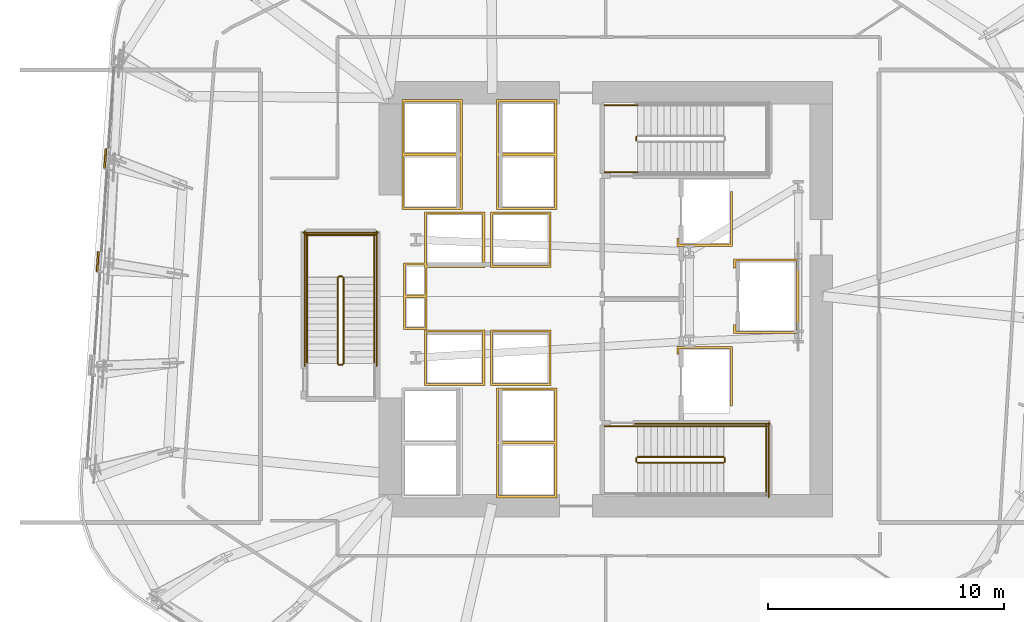
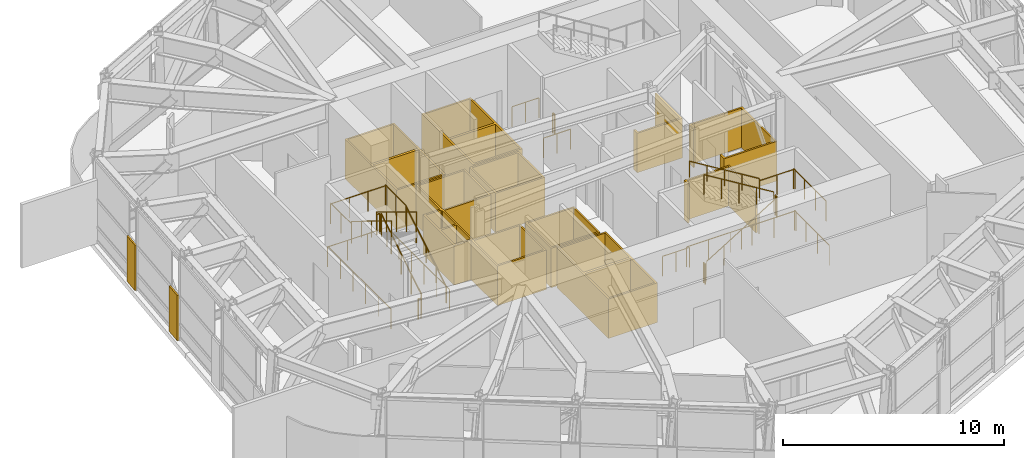
# One storey, part 12 of 14: 25 railings, 12 coverings.
"""IFC4 building model written with IfcOpenShell, lengths in metres."""

from ifc_helpers import new_model, si_unit, direction, frame, origin, origin_2d, place, context, subcontext, project, spatial, polyline, circle, outline, extrude, material, layer, layer_set, type_object, element, save


model = new_model("IFC4")

# Units and contexts
model_context = context("Model", 3, precision=1e-05, world=origin(), true_north=direction((0.0, 1.0)))
body_context = subcontext(model_context, "Body", "Model", "MODEL_VIEW")
ifc_project = project(units=[si_unit("LENGTHUNIT", "METRE"), si_unit("AREAUNIT", "SQUARE_METRE"), si_unit("VOLUMEUNIT", "CUBIC_METRE"), si_unit("PLANEANGLEUNIT", "RADIAN"), si_unit("MASSUNIT", "GRAM", prefix="KILO")], contexts=[model_context])

# Site, building, storey
site_placement = place(None, origin())
site = spatial("IfcSite", under=ifc_project, at=site_placement, CompositionType="ELEMENT")
building_placement = place(site_placement, origin())
building = spatial("IfcBuilding", under=site, at=building_placement, Name="Valkerne Bourse Tower", CompositionType="ELEMENT")
storey_placement = place(building_placement, frame((0.0, 0.0, 135.199951171875)))
storey = spatial("IfcBuildingStorey", under=building, at=storey_placement, Name="L34", CompositionType="ELEMENT", Elevation=135.199951171875)

# Coverings
ifc_material_1 = material(Name="Bronze Anodised Aluminium AA 6063-T6", Category="aluminium")
ifc_layer_1 = layer(ifc_material_1, 0.06005859375)
ifc_layer_set_1 = layer_set([ifc_layer_1], Name="Bronze Anodised Aluminium AA 6063-T6")
covering_type_1 = type_object("IfcCoveringType", Name="COV-CRN-ALUM", PredefinedType="CLADDING", material=ifc_layer_set_1)
covering_1_placement = place(storey_placement, origin())
element("IfcCovering", 1, at=covering_1_placement, inside=storey, type_object=covering_type_1, Name="L34 Wind-Shaped Corner Aluminium Cladding 11", PredefinedType="CLADDING", context=body_context, shape_type="SweptSolid", body=[
    extrude(outline(polyline([(25.27978515625, 28.88818359375), (25.359619140625, 28.8828125), (25.298095703125, 28.044921875), (25.21826171875, 28.05029296875), (25.27978515625, 28.88818359375)])), origin(), (0.0, 0.0, 1.0), 2.5),
])
covering_2_placement = place(storey_placement, origin())
element("IfcCovering", 2, at=covering_2_placement, inside=storey, type_object=covering_type_1, Name="L34 Wind-Shaped Corner Aluminium Cladding 12", PredefinedType="CLADDING", context=body_context, shape_type="SweptSolid", body=[
    extrude(outline(polyline([(25.60107421875, 33.259521484375), (25.680908203125, 33.25390625), (25.619384765625, 32.416015625), (25.53955078125, 32.421630859375), (25.60107421875, 33.259521484375)])), origin(), (0.0, 0.0, 1.0), 2.5),
])
ifc_material_2 = material(Name="Gypsum Shaftwall Liner Board", Category="gypsum")
ifc_layer_2 = layer(ifc_material_2, 0.080078125)
ifc_layer_set_2 = layer_set([ifc_layer_2], Name="Gypsum Shaftwall Liner Board")
covering_type_2 = type_object("IfcCoveringType", Name="COV-SHF-CLAD", PredefinedType="CLADDING", material=ifc_layer_set_2)
covering_3_placement = place(storey_placement, origin())
element("IfcCovering", 3, at=covering_3_placement, inside=storey, type_object=covering_type_2, Name="L34 Hoistway & Riser Shaftwall Liner 02", PredefinedType="CLADDING", context=body_context, shape_type="SweptSolid", body=[
    extrude(outline(polyline([(41.679931640625, 23.219970703125), (39.1201171875, 23.219970703125), (39.1201171875, 25.580078125), (41.679931640625, 25.580078125), (41.679931640625, 23.219970703125)]), holes=[polyline([(39.2099609375, 25.489990234375), (39.2099609375, 23.31005859375), (41.590087890625, 23.31005859375), (41.590087890625, 25.489990234375), (39.2099609375, 25.489990234375)])]), origin(), (0.0, 0.0, 1.0), 2.179931640625),
])
covering_4_placement = place(storey_placement, origin())
element("IfcCovering", 4, at=covering_4_placement, inside=storey, type_object=covering_type_2, Name="L34 Hoistway & Riser Shaftwall Liner 03", PredefinedType="CLADDING", context=body_context, shape_type="SweptSolid", body=[
    extrude(outline(polyline([(44.47998046875, 23.219970703125), (41.919921875, 23.219970703125), (41.919921875, 25.580078125), (44.47998046875, 25.580078125), (44.47998046875, 23.219970703125)]), holes=[polyline([(42.010009765625, 25.489990234375), (42.010009765625, 23.31005859375), (44.389892578125, 23.31005859375), (44.389892578125, 25.489990234375), (42.010009765625, 25.489990234375)])]), origin(), (0.0, 0.0, 1.0), 2.179931640625),
])
covering_5_placement = place(storey_placement, origin())
element("IfcCovering", 5, at=covering_5_placement, inside=storey, type_object=covering_type_2, Name="L34 Hoistway & Riser Shaftwall Liner 04", PredefinedType="CLADDING", context=body_context, shape_type="SweptSolid", body=[
    extrude(outline(polyline([(38.239990234375, 28.409912109375), (39.1201171875, 28.409912109375), (39.1201171875, 30.580078125), (41.679931640625, 30.580078125), (41.679931640625, 28.219970703125), (39.239990234375, 28.219970703125), (39.239990234375, 27.0400390625), (39.239990234375, 26.9599609375), (39.239990234375, 25.590087890625), (38.239990234375, 25.590087890625), (38.239990234375, 26.9599609375), (38.239990234375, 27.0400390625), (38.239990234375, 28.409912109375)]), holes=[polyline([(39.2099609375, 30.489990234375), (39.2099609375, 28.409912109375), (39.239990234375, 28.409912109375), (39.239990234375, 28.31005859375), (41.590087890625, 28.31005859375), (41.590087890625, 30.489990234375), (39.2099609375, 30.489990234375)]), polyline([(38.330078125, 26.949951171875), (38.330078125, 25.679931640625), (39.14990234375, 25.679931640625), (39.14990234375, 26.949951171875), (38.330078125, 26.949951171875)]), polyline([(39.1201171875, 28.219970703125), (39.1201171875, 28.320068359375), (38.330078125, 28.320068359375), (38.330078125, 27.050048828125), (39.14990234375, 27.050048828125), (39.14990234375, 28.219970703125), (39.1201171875, 28.219970703125)])]), origin(), (0.0, 0.0, 1.0), 2.179931640625),
])
covering_6_placement = place(storey_placement, origin())
element("IfcCovering", 6, at=covering_6_placement, inside=storey, type_object=covering_type_2, Name="L34 Hoistway & Riser Shaftwall Liner 05", PredefinedType="CLADDING", context=body_context, shape_type="SweptSolid", body=[
    extrude(outline(polyline([(38.169921875, 35.330078125), (40.72998046875, 35.330078125), (40.72998046875, 33.030029296875), (40.72998046875, 32.969970703125), (40.72998046875, 30.669921875), (38.169921875, 30.669921875), (38.169921875, 32.969970703125), (38.169921875, 33.030029296875), (38.169921875, 35.330078125)]), holes=[polyline([(38.260009765625, 32.93994140625), (38.260009765625, 30.760009765625), (40.639892578125, 30.760009765625), (40.639892578125, 32.93994140625), (38.260009765625, 32.93994140625)]), polyline([(38.260009765625, 35.239990234375), (38.260009765625, 33.06005859375), (40.639892578125, 33.06005859375), (40.639892578125, 35.239990234375), (38.260009765625, 35.239990234375)])]), origin(), (0.0, 0.0, 1.0), 2.179931640625),
])
covering_7_placement = place(storey_placement, origin())
element("IfcCovering", 7, at=covering_7_placement, inside=storey, type_object=covering_type_2, Name="L34 Hoistway & Riser Shaftwall Liner 06", PredefinedType="CLADDING", context=body_context, shape_type="SweptSolid", body=[
    extrude(outline(polyline([(42.169921875, 20.830078125), (42.169921875, 23.1298828125), (44.72998046875, 23.1298828125), (44.72998046875, 20.830078125), (44.72998046875, 20.77001953125), (44.72998046875, 18.469970703125), (42.169921875, 18.469970703125), (42.169921875, 20.77001953125), (42.169921875, 20.830078125)]), holes=[polyline([(42.260009765625, 20.739990234375), (42.260009765625, 18.56005859375), (44.639892578125, 18.56005859375), (44.639892578125, 20.739990234375), (42.260009765625, 20.739990234375)]), polyline([(42.260009765625, 23.0400390625), (42.260009765625, 20.860107421875), (44.639892578125, 20.860107421875), (44.639892578125, 23.0400390625), (42.260009765625, 23.0400390625)])]), origin(), (0.0, 0.0, 1.0), 2.179931640625),
])
covering_8_placement = place(storey_placement, origin())
element("IfcCovering", 8, at=covering_8_placement, inside=storey, type_object=covering_type_2, Name="L34 Hoistway & Riser Shaftwall Liner 07", PredefinedType="CLADDING", context=body_context, shape_type="SweptSolid", body=[
    extrude(outline(polyline([(52.179931640625, 22.35009765625), (52.090087890625, 22.35009765625), (52.090087890625, 24.7900390625), (49.909912109375, 24.7900390625), (49.909912109375, 24.560791015625), (49.869384765625, 24.550537109375), (49.827880859375, 24.53564453125), (49.820068359375, 24.531982421875), (49.820068359375, 24.8798828125), (52.179931640625, 24.8798828125), (52.179931640625, 22.35009765625)])), origin(), (0.0, 0.0, 1.0), 2.179931640625),
])
covering_9_placement = place(storey_placement, origin())
element("IfcCovering", 9, at=covering_9_placement, inside=storey, type_object=covering_type_2, Name="L34 Hoistway & Riser Shaftwall Liner 08", PredefinedType="CLADDING", context=body_context, shape_type="SweptSolid", body=[
    extrude(outline(polyline([(54.97998046875, 25.419921875), (52.219970703125, 25.419921875), (52.219970703125, 25.81787109375), (52.227783203125, 25.814208984375), (52.269287109375, 25.79931640625), (52.31005859375, 25.789306640625), (52.31005859375, 25.510009765625), (54.889892578125, 25.510009765625), (54.889892578125, 28.489990234375), (52.31005859375, 28.489990234375), (52.31005859375, 28.210693359375), (52.269287109375, 28.20068359375), (52.227783203125, 28.185791015625), (52.219970703125, 28.18212890625), (52.219970703125, 28.580078125), (54.97998046875, 28.580078125), (54.97998046875, 25.419921875)])), origin(), (0.0, 0.0, 1.0), 2.179931640625),
])
covering_10_placement = place(storey_placement, origin())
element("IfcCovering", 10, at=covering_10_placement, inside=storey, type_object=covering_type_2, Name="L34 Hoistway & Riser Shaftwall Liner 09", PredefinedType="CLADDING", context=body_context, shape_type="SweptSolid", body=[
    extrude(outline(polyline([(44.47998046875, 28.219970703125), (41.919921875, 28.219970703125), (41.919921875, 30.580078125), (44.47998046875, 30.580078125), (44.47998046875, 28.219970703125)]), holes=[polyline([(42.010009765625, 30.489990234375), (42.010009765625, 28.31005859375), (44.389892578125, 28.31005859375), (44.389892578125, 30.489990234375), (42.010009765625, 30.489990234375)])]), origin(), (0.0, 0.0, 1.0), 2.179931640625),
])
covering_11_placement = place(storey_placement, origin())
element("IfcCovering", 11, at=covering_11_placement, inside=storey, type_object=covering_type_2, Name="L34 Hoistway & Riser Shaftwall Liner 10", PredefinedType="CLADDING", context=body_context, shape_type="SweptSolid", body=[
    extrude(outline(polyline([(49.820068359375, 29.1201171875), (49.820068359375, 29.468017578125), (49.827880859375, 29.46435546875), (49.869384765625, 29.449462890625), (49.909912109375, 29.439208984375), (49.909912109375, 29.2099609375), (52.090087890625, 29.2099609375), (52.090087890625, 31.449951171875), (52.179931640625, 31.449951171875), (52.179931640625, 29.1201171875), (49.820068359375, 29.1201171875)])), origin(), (0.0, 0.0, 1.0), 2.179931640625),
])
covering_12_placement = place(storey_placement, origin())
element("IfcCovering", 12, at=covering_12_placement, inside=storey, type_object=covering_type_2, Name="L34 Hoistway & Riser Shaftwall Liner 11", PredefinedType="CLADDING", context=body_context, shape_type="SweptSolid", body=[
    extrude(outline(polyline([(44.72998046875, 35.330078125), (44.72998046875, 33.030029296875), (44.72998046875, 32.969970703125), (44.72998046875, 30.669921875), (42.169921875, 30.669921875), (42.169921875, 32.969970703125), (42.169921875, 33.030029296875), (42.169921875, 35.330078125), (44.72998046875, 35.330078125)]), holes=[polyline([(42.260009765625, 30.760009765625), (44.639892578125, 30.760009765625), (44.639892578125, 32.93994140625), (42.260009765625, 32.93994140625), (42.260009765625, 30.760009765625)]), polyline([(42.260009765625, 33.06005859375), (44.639892578125, 33.06005859375), (44.639892578125, 35.239990234375), (42.260009765625, 35.239990234375), (42.260009765625, 33.06005859375)])]), origin(), (0.0, 0.0, 1.0), 2.179931640625),
])

# Railings
ifc_material_3 = material(Name="Galvanised Painted Steel", Category="steel")
railing_type_1 = type_object("IfcRailingType", Name="RLG-ST-GUARD-1120", PredefinedType="GUARDRAIL", material=ifc_material_3)
railing_1_placement = place(storey_placement, frame((48.14990234375, 19.949951171875, 0.17138671875)))
element("IfcRailing", 13, at=railing_1_placement, inside=storey, type_object=railing_type_1, Name="L34 ST-1 stair guard 1", PredefinedType="GUARDRAIL", context=body_context, shape_type="SweptSolid", body=[
    extrude(circle(Radius=0.02392578125, at=origin_2d()), frame((0.0, 0.0, 1.09619140625), z_axis=(0.852840387347, 0.0, 0.522171689878), x_axis=(0.0, 1.0, 0.0)), (0.0, 0.0, 1.0), 4.268310546875),
    extrude(circle(Radius=0.02099609375, at=origin_2d()), origin(), (0.0, 0.0, 1.0), 1.072021484375),
    extrude(circle(Radius=0.02099609375, at=origin_2d()), frame((0.91015625, 0.0, 0.55712890625)), (0.0, 0.0, 1.0), 1.072021484375),
    extrude(circle(Radius=0.02099609375, at=origin_2d()), frame((1.820068359375, 0.0, 1.1142578125)), (0.0, 0.0, 1.0), 1.072021484375),
    extrude(circle(Radius=0.02099609375, at=origin_2d()), frame((2.72998046875, 0.0, 1.671630859375)), (0.0, 0.0, 1.0), 1.072021484375),
    extrude(circle(Radius=0.02099609375, at=origin_2d()), frame((3.64013671875, 0.0, 2.228759765625)), (0.0, 0.0, 1.0), 1.072021484375),
])
railing_2_placement = place(storey_placement, frame((51.840087890625, 20.0, 2.400146484375)))
element("IfcRailing", 14, at=railing_2_placement, inside=storey, type_object=railing_type_1, Name="L34 ST-1 stair guard 2", PredefinedType="GUARDRAIL", context=body_context, shape_type="SweptSolid", body=[
    extrude(circle(Radius=0.02392578125, at=origin_2d()), frame((0.0, 0.0, 1.09619140625), z_axis=(0.0, 1.0, 0.0), x_axis=(-1.0, 0.0, 0.0)), (0.0, 0.0, 1.0), 0.14990234375),
    extrude(circle(Radius=0.02099609375, at=origin_2d()), origin(), (0.0, 0.0, 1.0), 1.072021484375),
    extrude(circle(Radius=0.02099609375, at=origin_2d()), frame((0.0, 0.14990234375, 0.0)), (0.0, 0.0, 1.0), 1.072021484375),
])
railing_3_placement = place(storey_placement, frame((51.7900390625, 21.5, 2.400146484375)))
element("IfcRailing", 15, at=railing_3_placement, inside=storey, type_object=railing_type_1, Name="L34 ST-1 stair guard 4", PredefinedType="GUARDRAIL", context=body_context, shape_type="SweptSolid", body=[
    extrude(circle(Radius=0.02392578125, at=origin_2d()), frame((0.0, 0.0, 1.09619140625), z_axis=(1.0, 0.0, 0.0), x_axis=(0.0, 1.0, 0.0)), (0.0, 0.0, 1.0), 1.85986328125),
    extrude(circle(Radius=0.02099609375, at=origin_2d()), origin(), (0.0, 0.0, 1.0), 1.072021484375),
    extrude(circle(Radius=0.02099609375, at=origin_2d()), frame((0.929931640625, 0.0, 0.0)), (0.0, 0.0, 1.0), 1.072021484375),
    extrude(circle(Radius=0.02099609375, at=origin_2d()), frame((1.85986328125, 0.0, 0.0)), (0.0, 0.0, 1.0), 1.072021484375),
])
railing_4_placement = place(storey_placement, frame((53.60009765625, 18.60009765625, 2.400146484375)))
element("IfcRailing", 16, at=railing_4_placement, inside=storey, type_object=railing_type_1, Name="L34 ST-1 stair guard 5", PredefinedType="GUARDRAIL", context=body_context, shape_type="SweptSolid", body=[
    extrude(circle(Radius=0.02392578125, at=origin_2d()), frame((0.0, 0.0, 1.09619140625), z_axis=(0.0, 1.0, 0.0), x_axis=(-1.0, 0.0, 0.0)), (0.0, 0.0, 1.0), 2.949951171875),
    extrude(circle(Radius=0.02099609375, at=origin_2d()), origin(), (0.0, 0.0, 1.0), 1.072021484375),
    extrude(circle(Radius=0.02099609375, at=origin_2d()), frame((0.0, 0.9833984375, 0.0)), (0.0, 0.0, 1.0), 1.072021484375),
    extrude(circle(Radius=0.02099609375, at=origin_2d()), frame((0.0, 1.966552734375, 0.0)), (0.0, 0.0, 1.0), 1.072021484375),
    extrude(circle(Radius=0.02099609375, at=origin_2d()), frame((0.0, 2.949951171875, 0.0)), (0.0, 0.0, 1.0), 1.072021484375),
])
railing_5_placement = place(storey_placement, frame((51.7900390625, 20.199951171875, 2.571533203125)))
element("IfcRailing", 17, at=railing_5_placement, inside=storey, type_object=railing_type_1, Name="L34 ST-1 stair guard 6", PredefinedType="GUARDRAIL", context=body_context, shape_type="SweptSolid", body=[
    extrude(circle(Radius=0.02392578125, at=origin_2d()), frame((0.0, 0.0, 1.09619140625), z_axis=(-0.852865859571, 0.0, 0.52213008492), x_axis=(0.0, -1.0, 0.0)), (0.0, 0.0, 1.0), 4.26806640625),
    extrude(circle(Radius=0.02099609375, at=origin_2d()), origin(), (0.0, 0.0, 1.0), 1.072021484375),
    extrude(circle(Radius=0.02099609375, at=origin_2d()), frame((-0.91015625, 0.0, 0.55712890625)), (0.0, 0.0, 1.0), 1.072021484375),
    extrude(circle(Radius=0.02099609375, at=origin_2d()), frame((-1.820068359375, 0.0, 1.1142578125)), (0.0, 0.0, 1.0), 1.072021484375),
    extrude(circle(Radius=0.02099609375, at=origin_2d()), frame((-2.72998046875, 0.0, 1.67138671875)), (0.0, 0.0, 1.0), 1.072021484375),
    extrude(circle(Radius=0.02099609375, at=origin_2d()), frame((-3.64013671875, 0.0, 2.228515625)), (0.0, 0.0, 1.0), 1.072021484375),
])
railing_6_placement = place(storey_placement, frame((48.10009765625, 20.0, 0.0)))
element("IfcRailing", 18, at=railing_6_placement, inside=storey, type_object=railing_type_1, Name="L34 ST-1 stair guard 7", PredefinedType="GUARDRAIL", context=body_context, shape_type="SweptSolid", body=[
    extrude(circle(Radius=0.02392578125, at=origin_2d()), frame((0.0, 0.0, 1.09619140625), z_axis=(0.0, 1.0, 0.0), x_axis=(-1.0, 0.0, 0.0)), (0.0, 0.0, 1.0), 0.14990234375),
    extrude(circle(Radius=0.02099609375, at=origin_2d()), origin(), (0.0, 0.0, 1.0), 1.072021484375),
    extrude(circle(Radius=0.02099609375, at=origin_2d()), frame((0.0, 0.14990234375, 0.0)), (0.0, 0.0, 1.0), 1.072021484375),
])
railing_7_placement = place(storey_placement, frame((46.75, 21.5, 0.0)))
element("IfcRailing", 19, at=railing_7_placement, inside=storey, type_object=railing_type_1, Name="L34 ST-1 stair guard 9", PredefinedType="GUARDRAIL", context=body_context, shape_type="SweptSolid", body=[
    extrude(circle(Radius=0.02392578125, at=origin_2d()), frame((0.0, 0.0, 1.09619140625), z_axis=(1.0, 0.0, 0.0), x_axis=(0.0, 1.0, 0.0)), (0.0, 0.0, 1.0), 1.39990234375),
    extrude(circle(Radius=0.02099609375, at=origin_2d()), origin(), (0.0, 0.0, 1.0), 1.072021484375),
    extrude(circle(Radius=0.02099609375, at=origin_2d()), frame((0.699951171875, 0.0, 0.0)), (0.0, 0.0, 1.0), 1.072021484375),
    extrude(circle(Radius=0.02099609375, at=origin_2d()), frame((1.39990234375, 0.0, 0.0)), (0.0, 0.0, 1.0), 1.072021484375),
])
railing_8_placement = place(storey_placement, frame((48.050048828125, 21.60009765625, 0.0)))
element("IfcRailing", 20, at=railing_8_placement, inside=storey, type_object=railing_type_1, Name="L34 ST-1 stair guard 11", PredefinedType="GUARDRAIL", context=body_context, shape_type="SweptSolid", body=[
    extrude(circle(Radius=0.02392578125, at=origin_2d()), frame((0.0, 0.0, 1.09619140625), z_axis=(1.0, 0.0, 0.0), x_axis=(0.0, 1.0, 0.0)), (0.0, 0.0, 1.0), 5.699951171875),
    extrude(circle(Radius=0.02099609375, at=origin_2d()), origin(), (0.0, 0.0, 1.0), 1.072021484375),
    extrude(circle(Radius=0.02099609375, at=origin_2d()), frame((1.139892578125, 0.0, 0.0)), (0.0, 0.0, 1.0), 1.072021484375),
    extrude(circle(Radius=0.02099609375, at=origin_2d()), frame((2.280029296875, 0.0, 0.0)), (0.0, 0.0, 1.0), 1.072021484375),
    extrude(circle(Radius=0.02099609375, at=origin_2d()), frame((3.419921875, 0.0, 0.0)), (0.0, 0.0, 1.0), 1.072021484375),
    extrude(circle(Radius=0.02099609375, at=origin_2d()), frame((4.56005859375, 0.0, 0.0)), (0.0, 0.0, 1.0), 1.072021484375),
    extrude(circle(Radius=0.02099609375, at=origin_2d()), frame((5.699951171875, 0.0, 0.0)), (0.0, 0.0, 1.0), 1.072021484375),
])
railing_9_placement = place(storey_placement, frame((53.699951171875, 18.5, 0.0)))
element("IfcRailing", 21, at=railing_9_placement, inside=storey, type_object=railing_type_1, Name="L34 ST-1 stair guard 12", PredefinedType="GUARDRAIL", context=body_context, shape_type="SweptSolid", body=[
    extrude(circle(Radius=0.02392578125, at=origin_2d()), frame((0.0, 0.0, 1.09619140625), z_axis=(0.0, 1.0, 0.0), x_axis=(-1.0, 0.0, 0.0)), (0.0, 0.0, 1.0), 3.14990234375),
    extrude(circle(Radius=0.02099609375, at=origin_2d()), origin(), (0.0, 0.0, 1.0), 1.072021484375),
    extrude(circle(Radius=0.02099609375, at=origin_2d()), frame((0.0, 1.050048828125, 0.0)), (0.0, 0.0, 1.0), 1.072021484375),
    extrude(circle(Radius=0.02099609375, at=origin_2d()), frame((0.0, 2.099853515625, 0.0)), (0.0, 0.0, 1.0), 1.072021484375),
    extrude(circle(Radius=0.02099609375, at=origin_2d()), frame((0.0, 3.14990234375, 0.0)), (0.0, 0.0, 1.0), 1.072021484375),
])
railing_10_placement = place(storey_placement, frame((48.10009765625, 33.60009765625, 0.0)))
element("IfcRailing", 22, at=railing_10_placement, inside=storey, type_object=railing_type_1, Name="L34 ST-2 stair guard 7", PredefinedType="GUARDRAIL", context=body_context, shape_type="SweptSolid", body=[
    extrude(circle(Radius=0.02392578125, at=origin_2d()), frame((0.0, 0.0, 1.09619140625), z_axis=(0.0, 1.0, 0.0), x_axis=(-1.0, 0.0, 0.0)), (0.0, 0.0, 1.0), 0.14990234375),
    extrude(circle(Radius=0.02099609375, at=origin_2d()), origin(), (0.0, 0.0, 1.0), 1.072021484375),
    extrude(circle(Radius=0.02099609375, at=origin_2d()), frame((0.0, 0.14990234375, 0.0)), (0.0, 0.0, 1.0), 1.072021484375),
])
for number, where, name in (
    (23, (46.75, 32.25, 0.0), "L34 ST-2 stair guard 8"),
    (24, (46.75, 35.10009765625, 0.0), "L34 ST-2 stair guard 9"),
):
    element("IfcRailing", number, at=place(storey_placement, frame(where)), inside=storey, type_object=railing_type_1, Name=name, PredefinedType="GUARDRAIL", context=body_context, shape_type="SweptSolid", body=[
        extrude(circle(Radius=0.02392578125, at=origin_2d()), frame((0.0, 0.0, 1.09619140625), z_axis=(1.0, 0.0, 0.0), x_axis=(0.0, 1.0, 0.0)), (0.0, 0.0, 1.0), 1.39990234375),
        extrude(circle(Radius=0.02099609375, at=origin_2d()), origin(), (0.0, 0.0, 1.0), 1.072021484375),
        extrude(circle(Radius=0.02099609375, at=origin_2d()), frame((0.699951171875, 0.0, 0.0)), (0.0, 0.0, 1.0), 1.072021484375),
        extrude(circle(Radius=0.02099609375, at=origin_2d()), frame((1.39990234375, 0.0, 0.0)), (0.0, 0.0, 1.0), 1.072021484375),
    ])
railing_11_placement = place(storey_placement, frame((35.699951171875, 24.14990234375, 0.17138671875)))
element("IfcRailing", 25, at=railing_11_placement, inside=storey, type_object=railing_type_1, Name="L34 ST-3 stair guard 1", PredefinedType="GUARDRAIL", context=body_context, shape_type="SweptSolid", body=[
    extrude(circle(Radius=0.02392578125, at=origin_2d()), frame((0.0, 0.0, 1.09619140625), z_axis=(0.0, 0.852840387347, 0.522171689878), x_axis=(-1.0, 0.0, 0.0)), (0.0, 0.0, 1.0), 4.268310546875),
    extrude(circle(Radius=0.02099609375, at=origin_2d()), origin(), (0.0, 0.0, 1.0), 1.072021484375),
    extrude(circle(Radius=0.02099609375, at=origin_2d()), frame((0.0, 0.91015625, 0.55712890625)), (0.0, 0.0, 1.0), 1.072021484375),
    extrude(circle(Radius=0.02099609375, at=origin_2d()), frame((0.0, 1.820068359375, 1.1142578125)), (0.0, 0.0, 1.0), 1.072021484375),
    extrude(circle(Radius=0.02099609375, at=origin_2d()), frame((0.0, 2.72998046875, 1.671630859375)), (0.0, 0.0, 1.0), 1.072021484375),
    extrude(circle(Radius=0.02099609375, at=origin_2d()), frame((0.0, 3.64013671875, 2.228759765625)), (0.0, 0.0, 1.0), 1.072021484375),
])
railing_12_placement = place(storey_placement, frame((35.64990234375, 27.840087890625, 2.400146484375)))
element("IfcRailing", 26, at=railing_12_placement, inside=storey, type_object=railing_type_1, Name="L34 ST-3 stair guard 2", PredefinedType="GUARDRAIL", context=body_context, shape_type="SweptSolid", body=[
    extrude(circle(Radius=0.02392578125, at=origin_2d()), frame((0.0, 0.0, 1.09619140625), z_axis=(-1.0, 0.0, 0.0), x_axis=(0.0, -1.0, 0.0)), (0.0, 0.0, 1.0), 0.14990234375),
    extrude(circle(Radius=0.02099609375, at=origin_2d()), origin(), (0.0, 0.0, 1.0), 1.072021484375),
    extrude(circle(Radius=0.02099609375, at=origin_2d()), frame((-0.14990234375, 0.0, 0.0)), (0.0, 0.0, 1.0), 1.072021484375),
])
for number, where, name in (
    (27, (37.0, 27.7900390625, 2.400146484375), "L34 ST-3 stair guard 3"),
    (28, (34.14990234375, 27.7900390625, 2.400146484375), "L34 ST-3 stair guard 4"),
):
    element("IfcRailing", number, at=place(storey_placement, frame(where)), inside=storey, type_object=railing_type_1, Name=name, PredefinedType="GUARDRAIL", context=body_context, shape_type="SweptSolid", body=[
        extrude(circle(Radius=0.02392578125, at=origin_2d()), frame((0.0, 0.0, 1.09619140625), z_axis=(0.0, 1.0, 0.0), x_axis=(-1.0, 0.0, 0.0)), (0.0, 0.0, 1.0), 1.85986328125),
        extrude(circle(Radius=0.02099609375, at=origin_2d()), origin(), (0.0, 0.0, 1.0), 1.072021484375),
        extrude(circle(Radius=0.02099609375, at=origin_2d()), frame((0.0, 0.929931640625, 0.0)), (0.0, 0.0, 1.0), 1.072021484375),
        extrude(circle(Radius=0.02099609375, at=origin_2d()), frame((0.0, 1.85986328125, 0.0)), (0.0, 0.0, 1.0), 1.072021484375),
    ])
railing_13_placement = place(storey_placement, frame((37.050048828125, 29.60009765625, 2.400146484375)))
element("IfcRailing", 29, at=railing_13_placement, inside=storey, type_object=railing_type_1, Name="L34 ST-3 stair guard 5", PredefinedType="GUARDRAIL", context=body_context, shape_type="SweptSolid", body=[
    extrude(circle(Radius=0.02392578125, at=origin_2d()), frame((0.0, 0.0, 1.09619140625), z_axis=(-1.0, 0.0, 0.0), x_axis=(0.0, -1.0, 0.0)), (0.0, 0.0, 1.0), 2.949951171875),
    extrude(circle(Radius=0.02099609375, at=origin_2d()), origin(), (0.0, 0.0, 1.0), 1.072021484375),
    extrude(circle(Radius=0.02099609375, at=origin_2d()), frame((-0.9833984375, 0.0, 0.0)), (0.0, 0.0, 1.0), 1.072021484375),
    extrude(circle(Radius=0.02099609375, at=origin_2d()), frame((-1.966552734375, 0.0, 0.0)), (0.0, 0.0, 1.0), 1.072021484375),
    extrude(circle(Radius=0.02099609375, at=origin_2d()), frame((-2.949951171875, 0.0, 0.0)), (0.0, 0.0, 1.0), 1.072021484375),
])
railing_14_placement = place(storey_placement, frame((35.449951171875, 27.7900390625, 2.571533203125)))
element("IfcRailing", 30, at=railing_14_placement, inside=storey, type_object=railing_type_1, Name="L34 ST-3 stair guard 6", PredefinedType="GUARDRAIL", context=body_context, shape_type="SweptSolid", body=[
    extrude(circle(Radius=0.02392578125, at=origin_2d()), frame((0.0, 0.0, 1.09619140625), z_axis=(0.0, -0.852865859571, 0.52213008492), x_axis=(1.0, 0.0, 0.0)), (0.0, 0.0, 1.0), 4.26806640625),
    extrude(circle(Radius=0.02099609375, at=origin_2d()), origin(), (0.0, 0.0, 1.0), 1.072021484375),
    extrude(circle(Radius=0.02099609375, at=origin_2d()), frame((0.0, -0.91015625, 0.55712890625)), (0.0, 0.0, 1.0), 1.072021484375),
    extrude(circle(Radius=0.02099609375, at=origin_2d()), frame((0.0, -1.820068359375, 1.1142578125)), (0.0, 0.0, 1.0), 1.072021484375),
    extrude(circle(Radius=0.02099609375, at=origin_2d()), frame((0.0, -2.72998046875, 1.67138671875)), (0.0, 0.0, 1.0), 1.072021484375),
    extrude(circle(Radius=0.02099609375, at=origin_2d()), frame((0.0, -3.64013671875, 2.228515625)), (0.0, 0.0, 1.0), 1.072021484375),
])
railing_15_placement = place(storey_placement, frame((35.64990234375, 24.10009765625, 0.0)))
element("IfcRailing", 31, at=railing_15_placement, inside=storey, type_object=railing_type_1, Name="L34 ST-3 stair guard 7", PredefinedType="GUARDRAIL", context=body_context, shape_type="SweptSolid", body=[
    extrude(circle(Radius=0.02392578125, at=origin_2d()), frame((0.0, 0.0, 1.09619140625), z_axis=(-1.0, 0.0, 0.0), x_axis=(0.0, -1.0, 0.0)), (0.0, 0.0, 1.0), 0.14990234375),
    extrude(circle(Radius=0.02099609375, at=origin_2d()), origin(), (0.0, 0.0, 1.0), 1.072021484375),
    extrude(circle(Radius=0.02099609375, at=origin_2d()), frame((-0.14990234375, 0.0, 0.0)), (0.0, 0.0, 1.0), 1.072021484375),
])
for number, where, name in (
    (32, (37.10009765625, 24.050048828125, 0.0), "L34 ST-3 stair guard 10"),
    (33, (34.050048828125, 24.050048828125, 0.0), "L34 ST-3 stair guard 11"),
):
    element("IfcRailing", number, at=place(storey_placement, frame(where)), inside=storey, type_object=railing_type_1, Name=name, PredefinedType="GUARDRAIL", context=body_context, shape_type="SweptSolid", body=[
        extrude(circle(Radius=0.02392578125, at=origin_2d()), frame((0.0, 0.0, 1.09619140625), z_axis=(0.0, 1.0, 0.0), x_axis=(-1.0, 0.0, 0.0)), (0.0, 0.0, 1.0), 5.699951171875),
        extrude(circle(Radius=0.02099609375, at=origin_2d()), origin(), (0.0, 0.0, 1.0), 1.072021484375),
        extrude(circle(Radius=0.02099609375, at=origin_2d()), frame((0.0, 1.139892578125, 0.0)), (0.0, 0.0, 1.0), 1.072021484375),
        extrude(circle(Radius=0.02099609375, at=origin_2d()), frame((0.0, 2.280029296875, 0.0)), (0.0, 0.0, 1.0), 1.072021484375),
        extrude(circle(Radius=0.02099609375, at=origin_2d()), frame((0.0, 3.419921875, 0.0)), (0.0, 0.0, 1.0), 1.072021484375),
        extrude(circle(Radius=0.02099609375, at=origin_2d()), frame((0.0, 4.56005859375, 0.0)), (0.0, 0.0, 1.0), 1.072021484375),
        extrude(circle(Radius=0.02099609375, at=origin_2d()), frame((0.0, 5.699951171875, 0.0)), (0.0, 0.0, 1.0), 1.072021484375),
    ])
railing_16_placement = place(storey_placement, frame((37.14990234375, 29.699951171875, 0.0)))
element("IfcRailing", 34, at=railing_16_placement, inside=storey, type_object=railing_type_1, Name="L34 ST-3 stair guard 12", PredefinedType="GUARDRAIL", context=body_context, shape_type="SweptSolid", body=[
    extrude(circle(Radius=0.02392578125, at=origin_2d()), frame((0.0, 0.0, 1.09619140625), z_axis=(-1.0, 0.0, 0.0), x_axis=(0.0, -1.0, 0.0)), (0.0, 0.0, 1.0), 3.14990234375),
    extrude(circle(Radius=0.02099609375, at=origin_2d()), origin(), (0.0, 0.0, 1.0), 1.072021484375),
    extrude(circle(Radius=0.02099609375, at=origin_2d()), frame((-1.050048828125, 0.0, 0.0)), (0.0, 0.0, 1.0), 1.072021484375),
    extrude(circle(Radius=0.02099609375, at=origin_2d()), frame((-2.099853515625, 0.0, 0.0)), (0.0, 0.0, 1.0), 1.072021484375),
    extrude(circle(Radius=0.02099609375, at=origin_2d()), frame((-3.14990234375, 0.0, 0.0)), (0.0, 0.0, 1.0), 1.072021484375),
])
ifc_material_4 = material(Name="Stainless Steel AISI 316", Category="steel")
railing_type_2 = type_object("IfcRailingType", Name="RLG-ST-HANDRAIL-900", PredefinedType="HANDRAIL", material=ifc_material_4)
railing_17_placement = place(storey_placement, frame((51.7900390625, 21.5, 2.742919921875)))
element("IfcRailing", 35, at=railing_17_placement, inside=storey, type_object=railing_type_2, Name="L34 ST-1 stair handrail 2", PredefinedType="HANDRAIL", context=body_context, shape_type="SweptSolid", body=[
    extrude(circle(Radius=0.02392578125, at=origin_2d()), frame((0.0, 0.0, 0.8759765625), z_axis=(-0.852865859571, 0.0, 0.52213008492), x_axis=(0.0, -1.0, 0.0)), (0.0, 0.0, 1.0), 4.26806640625),
    extrude(circle(Radius=0.02099609375, at=origin_2d()), origin(), (0.0, 0.0, 1.0), 0.851806640625),
    extrude(circle(Radius=0.02099609375, at=origin_2d()), frame((-0.91015625, 0.0, 0.55712890625)), (0.0, 0.0, 1.0), 0.851806640625),
    extrude(circle(Radius=0.02099609375, at=origin_2d()), frame((-1.820068359375, 0.0, 1.1142578125)), (0.0, 0.0, 1.0), 0.851806640625),
    extrude(circle(Radius=0.02099609375, at=origin_2d()), frame((-2.72998046875, 0.0, 1.67138671875)), (0.0, 0.0, 1.0), 0.851806640625),
    extrude(circle(Radius=0.02099609375, at=origin_2d()), frame((-3.64013671875, 0.0, 2.228515625)), (0.0, 0.0, 1.0), 0.851806640625),
])
railing_18_placement = place(storey_placement, frame((37.0, 24.14990234375, 0.343017578125)))
element("IfcRailing", 36, at=railing_18_placement, inside=storey, type_object=railing_type_2, Name="L34 ST-3 stair handrail 1", PredefinedType="HANDRAIL", context=body_context, shape_type="SweptSolid", body=[
    extrude(circle(Radius=0.02392578125, at=origin_2d()), frame((0.0, 0.0, 0.8759765625), z_axis=(0.0, 0.852865859571, 0.52213008492), x_axis=(-1.0, 0.0, 0.0)), (0.0, 0.0, 1.0), 4.26806640625),
    extrude(circle(Radius=0.02099609375, at=origin_2d()), origin(), (0.0, 0.0, 1.0), 0.851806640625),
    extrude(circle(Radius=0.02099609375, at=origin_2d()), frame((0.0, 0.91015625, 0.55712890625)), (0.0, 0.0, 1.0), 0.851806640625),
    extrude(circle(Radius=0.02099609375, at=origin_2d()), frame((0.0, 1.820068359375, 1.1142578125)), (0.0, 0.0, 1.0), 0.851806640625),
    extrude(circle(Radius=0.02099609375, at=origin_2d()), frame((0.0, 2.72998046875, 1.67138671875)), (0.0, 0.0, 1.0), 0.851806640625),
    extrude(circle(Radius=0.02099609375, at=origin_2d()), frame((0.0, 3.64013671875, 2.228515625)), (0.0, 0.0, 1.0), 0.851806640625),
])
railing_19_placement = place(storey_placement, frame((34.14990234375, 27.7900390625, 2.742919921875)))
element("IfcRailing", 37, at=railing_19_placement, inside=storey, type_object=railing_type_2, Name="L34 ST-3 stair handrail 2", PredefinedType="HANDRAIL", context=body_context, shape_type="SweptSolid", body=[
    extrude(circle(Radius=0.02392578125, at=origin_2d()), frame((0.0, 0.0, 0.8759765625), z_axis=(0.0, -0.852865859571, 0.52213008492), x_axis=(1.0, 0.0, 0.0)), (0.0, 0.0, 1.0), 4.26806640625),
    extrude(circle(Radius=0.02099609375, at=origin_2d()), origin(), (0.0, 0.0, 1.0), 0.851806640625),
    extrude(circle(Radius=0.02099609375, at=origin_2d()), frame((0.0, -0.91015625, 0.55712890625)), (0.0, 0.0, 1.0), 0.851806640625),
    extrude(circle(Radius=0.02099609375, at=origin_2d()), frame((0.0, -1.820068359375, 1.1142578125)), (0.0, 0.0, 1.0), 0.851806640625),
    extrude(circle(Radius=0.02099609375, at=origin_2d()), frame((0.0, -2.72998046875, 1.67138671875)), (0.0, 0.0, 1.0), 0.851806640625),
    extrude(circle(Radius=0.02099609375, at=origin_2d()), frame((0.0, -3.64013671875, 2.228515625)), (0.0, 0.0, 1.0), 0.851806640625),
])

save(model, "model.ifc")
